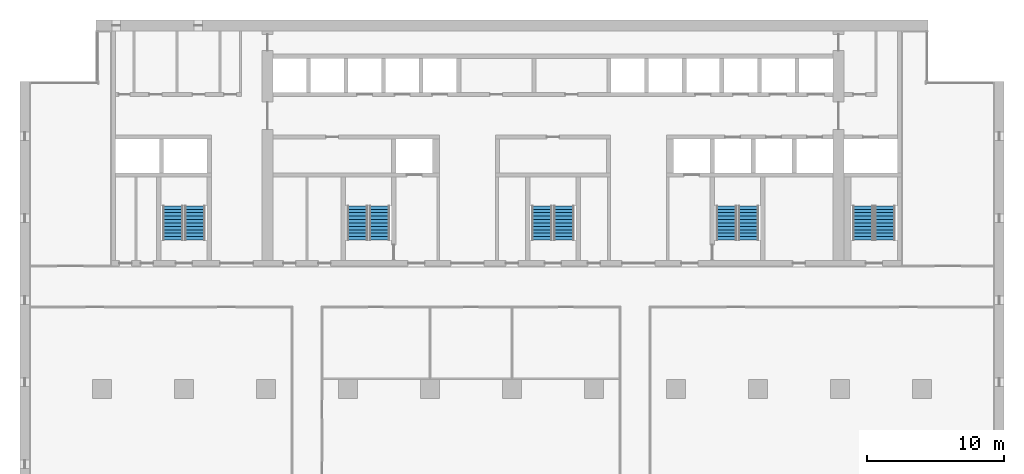
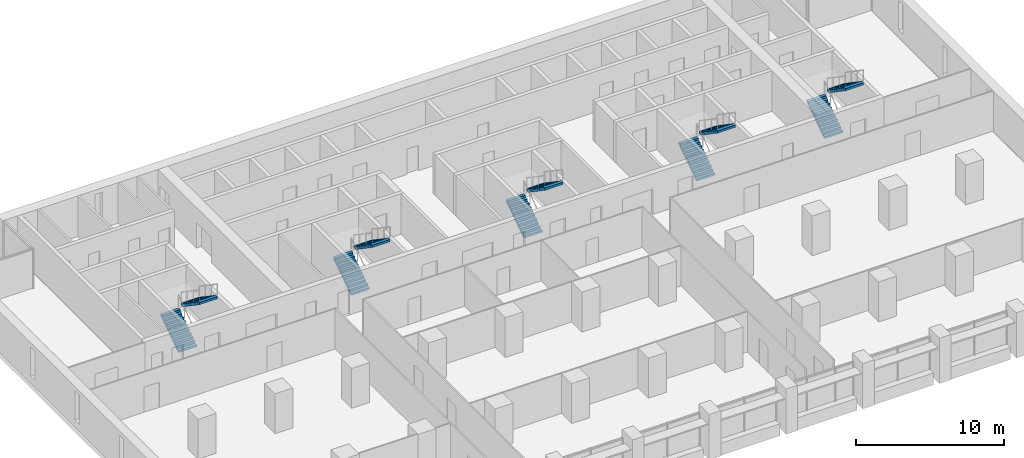
# One storey, part 12 of 15: 10 stair flights, 5 elements without a shape of their own.
"""IFC4 building model written with IfcOpenShell, lengths in metres."""

from ifc_helpers import new_model, si_unit, direction, frame, origin, place, context, subcontext, project, spatial, polyline, outline, extrude, material, type_object, element, aggregate, save


model = new_model("IFC4")

# Units and contexts
model_context = context("Model", 3, precision=1e-05, world=origin(), true_north=direction((0.0, 1.0)))
body_context = subcontext(model_context, "Body", "Model", "MODEL_VIEW")
ifc_project = project(units=[si_unit("LENGTHUNIT", "METRE"), si_unit("AREAUNIT", "SQUARE_METRE"), si_unit("VOLUMEUNIT", "CUBIC_METRE"), si_unit("PLANEANGLEUNIT", "RADIAN"), si_unit("MASSUNIT", "GRAM", prefix="KILO")], contexts=[model_context])

# Site, building, storey
site_placement = place(None, origin())
site = spatial("IfcSite", under=ifc_project, at=site_placement, CompositionType="ELEMENT")
building_placement = place(site_placement, origin())
building = spatial("IfcBuilding", under=site, at=building_placement, Name="Calvaro Tower", CompositionType="ELEMENT")
storey_placement = place(building_placement, frame((0.0, 0.0, 110.0)))
storey = spatial("IfcBuildingStorey", under=building, at=storey_placement, Name="L27", CompositionType="ELEMENT", Elevation=110.0)

# Stair, stair flights
ifc_material_1 = material(Name="Concrete C40/50", Category="concrete")
stair_type = type_object("IfcStairType", Name="Exit stair 1400 2 flights", PredefinedType="HALF_TURN_STAIR", material=ifc_material_1)
stair_1_placement = place(storey_placement, origin())
stair_1 = element("IfcStair", 1, at=stair_1_placement, inside=storey, type_object=stair_type, Name="Exit stair S1", PredefinedType="HALF_TURN_STAIR")
ifc_material_2 = material(Name="Concrete C40/50", Category="concrete")
stair_flight_type = type_object("IfcStairFlightType", Name="Stair flight", PredefinedType="STRAIGHT", material=ifc_material_2)
stair_flight_1_placement = place(storey_placement, frame((11.199951171875, 29.89990234375, 0.0), z_axis=(0.0, 0.0, 1.0), x_axis=(0.0, 1.0, 0.0)))
stair_flight_1 = element("IfcStairFlight", 2, at=stair_flight_1_placement, type_object=stair_flight_type, Name="Exit stair 1, flight 1", NumberOfRisers=11, NumberOfTreads=10, PredefinedType="STRAIGHT", RiserHeight=0.170454545, TreadLength=0.25, context=body_context, shape_type="SweptSolid", body=[
    extrude(outline(polyline([(0.0, 0.0), (0.0, 0.17041015625), (0.25, 0.17041015625), (0.25, 0.3408203125), (0.5, 0.3408203125), (0.5, 0.511474609375), (0.75, 0.511474609375), (0.75, 0.681884765625), (1.0, 0.681884765625), (1.0, 0.852294921875), (1.25, 0.852294921875), (1.25, 1.022705078125), (1.5, 1.022705078125), (1.5, 1.193115234375), (1.75, 1.193115234375), (1.75, 1.363525390625), (2.0, 1.363525390625), (2.0, 1.5341796875), (2.25, 1.5341796875), (2.25, 1.70458984375), (2.5, 1.70458984375), (2.5, 1.875), (2.5, 1.523193359375), (0.26611328125, 0.0), (0.0, 0.0)])), frame((0.0, 0.699951171875, 0.0), z_axis=(0.0, -1.0, 0.0), x_axis=(1.0, 0.0, 0.0)), (0.0, 0.0, 1.0), 1.39990234375),
])
stair_flight_2_placement = place(storey_placement, frame((12.800048828125, 32.39990234375, 1.875), z_axis=(0.0, 0.0, 1.0), x_axis=(0.0, -1.0, 0.0)))
stair_flight_2 = element("IfcStairFlight", 3, at=stair_flight_2_placement, type_object=stair_flight_type, Name="Exit stair 1, flight 2", NumberOfRisers=11, NumberOfTreads=10, PredefinedType="STRAIGHT", RiserHeight=0.170454545, TreadLength=0.25, context=body_context, shape_type="SweptSolid", body=[
    extrude(outline(polyline([(0.0, 0.0), (0.0, 0.17041015625), (0.25, 0.17041015625), (0.25, 0.3408203125), (0.5, 0.3408203125), (0.5, 0.511474609375), (0.75, 0.511474609375), (0.75, 0.681884765625), (1.0, 0.681884765625), (1.0, 0.852294921875), (1.25, 0.852294921875), (1.25, 1.022705078125), (1.5, 1.022705078125), (1.5, 1.193115234375), (1.75, 1.193115234375), (1.75, 1.363525390625), (2.0, 1.363525390625), (2.0, 1.5341796875), (2.25, 1.5341796875), (2.25, 1.70458984375), (2.5, 1.70458984375), (2.5, 1.875), (2.5, 1.523193359375), (0.26611328125, 0.0), (0.0, 0.0)])), frame((0.0, 0.699951171875, 0.0), z_axis=(0.0, -1.0, 0.0), x_axis=(1.0, 0.0, 0.0)), (0.0, 0.0, 1.0), 1.39990234375),
])
aggregate(stair_1, [stair_flight_1, stair_flight_2])

stair_2_placement = place(storey_placement, origin())
stair_2 = element("IfcStair", 4, at=stair_2_placement, inside=storey, type_object=stair_type, Name="Exit stair S2", PredefinedType="HALF_TURN_STAIR")
stair_flight_3_placement = place(storey_placement, frame((24.699951171875, 29.89990234375, 0.0), z_axis=(0.0, 0.0, 1.0), x_axis=(0.0, 1.0, 0.0)))
stair_flight_3 = element("IfcStairFlight", 5, at=stair_flight_3_placement, type_object=stair_flight_type, Name="Exit stair 2, flight 1", NumberOfRisers=11, NumberOfTreads=10, PredefinedType="STRAIGHT", RiserHeight=0.170454545, TreadLength=0.25, context=body_context, shape_type="SweptSolid", body=[
    extrude(outline(polyline([(0.0, 0.0), (0.0, 0.17041015625), (0.25, 0.17041015625), (0.25, 0.3408203125), (0.5, 0.3408203125), (0.5, 0.511474609375), (0.75, 0.511474609375), (0.75, 0.681884765625), (1.0, 0.681884765625), (1.0, 0.852294921875), (1.25, 0.852294921875), (1.25, 1.022705078125), (1.5, 1.022705078125), (1.5, 1.193115234375), (1.75, 1.193115234375), (1.75, 1.363525390625), (2.0, 1.363525390625), (2.0, 1.5341796875), (2.25, 1.5341796875), (2.25, 1.70458984375), (2.5, 1.70458984375), (2.5, 1.875), (2.5, 1.523193359375), (0.26611328125, 0.0), (0.0, 0.0)])), frame((0.0, 0.699951171875, 0.0), z_axis=(0.0, -1.0, 0.0), x_axis=(1.0, 0.0, 0.0)), (0.0, 0.0, 1.0), 1.39990234375),
])
stair_flight_4_placement = place(storey_placement, frame((26.300048828125, 32.39990234375, 1.875), z_axis=(0.0, 0.0, 1.0), x_axis=(0.0, -1.0, 0.0)))
stair_flight_4 = element("IfcStairFlight", 6, at=stair_flight_4_placement, type_object=stair_flight_type, Name="Exit stair 2, flight 2", NumberOfRisers=11, NumberOfTreads=10, PredefinedType="STRAIGHT", RiserHeight=0.170454545, TreadLength=0.25, context=body_context, shape_type="SweptSolid", body=[
    extrude(outline(polyline([(0.0, 0.0), (0.0, 0.17041015625), (0.25, 0.17041015625), (0.25, 0.3408203125), (0.5, 0.3408203125), (0.5, 0.511474609375), (0.75, 0.511474609375), (0.75, 0.681884765625), (1.0, 0.681884765625), (1.0, 0.852294921875), (1.25, 0.852294921875), (1.25, 1.022705078125), (1.5, 1.022705078125), (1.5, 1.193115234375), (1.75, 1.193115234375), (1.75, 1.363525390625), (2.0, 1.363525390625), (2.0, 1.5341796875), (2.25, 1.5341796875), (2.25, 1.70458984375), (2.5, 1.70458984375), (2.5, 1.875), (2.5, 1.523193359375), (0.26611328125, 0.0), (0.0, 0.0)])), frame((0.0, 0.699951171875, 0.0), z_axis=(0.0, -1.0, 0.0), x_axis=(1.0, 0.0, 0.0)), (0.0, 0.0, 1.0), 1.39990234375),
])
aggregate(stair_2, [stair_flight_3, stair_flight_4])

stair_3_placement = place(storey_placement, origin())
stair_3 = element("IfcStair", 7, at=stair_3_placement, inside=storey, type_object=stair_type, Name="Exit stair S3", PredefinedType="HALF_TURN_STAIR")
stair_flight_5_placement = place(storey_placement, frame((38.199951171875, 29.89990234375, 0.0), z_axis=(0.0, 0.0, 1.0), x_axis=(0.0, 1.0, 0.0)))
stair_flight_5 = element("IfcStairFlight", 8, at=stair_flight_5_placement, type_object=stair_flight_type, Name="Exit stair 3, flight 1", NumberOfRisers=11, NumberOfTreads=10, PredefinedType="STRAIGHT", RiserHeight=0.170454545, TreadLength=0.25, context=body_context, shape_type="SweptSolid", body=[
    extrude(outline(polyline([(0.0, 0.0), (0.0, 0.17041015625), (0.25, 0.17041015625), (0.25, 0.3408203125), (0.5, 0.3408203125), (0.5, 0.511474609375), (0.75, 0.511474609375), (0.75, 0.681884765625), (1.0, 0.681884765625), (1.0, 0.852294921875), (1.25, 0.852294921875), (1.25, 1.022705078125), (1.5, 1.022705078125), (1.5, 1.193115234375), (1.75, 1.193115234375), (1.75, 1.363525390625), (2.0, 1.363525390625), (2.0, 1.5341796875), (2.25, 1.5341796875), (2.25, 1.70458984375), (2.5, 1.70458984375), (2.5, 1.875), (2.5, 1.523193359375), (0.26611328125, 0.0), (0.0, 0.0)])), frame((0.0, 0.699951171875, 0.0), z_axis=(0.0, -1.0, 0.0), x_axis=(1.0, 0.0, 0.0)), (0.0, 0.0, 1.0), 1.39990234375),
])
stair_flight_6_placement = place(storey_placement, frame((39.800048828125, 32.39990234375, 1.875), z_axis=(0.0, 0.0, 1.0), x_axis=(0.0, -1.0, 0.0)))
stair_flight_6 = element("IfcStairFlight", 9, at=stair_flight_6_placement, type_object=stair_flight_type, Name="Exit stair 3, flight 2", NumberOfRisers=11, NumberOfTreads=10, PredefinedType="STRAIGHT", RiserHeight=0.170454545, TreadLength=0.25, context=body_context, shape_type="SweptSolid", body=[
    extrude(outline(polyline([(0.0, 0.0), (0.0, 0.17041015625), (0.25, 0.17041015625), (0.25, 0.3408203125), (0.5, 0.3408203125), (0.5, 0.511474609375), (0.75, 0.511474609375), (0.75, 0.681884765625), (1.0, 0.681884765625), (1.0, 0.852294921875), (1.25, 0.852294921875), (1.25, 1.022705078125), (1.5, 1.022705078125), (1.5, 1.193115234375), (1.75, 1.193115234375), (1.75, 1.363525390625), (2.0, 1.363525390625), (2.0, 1.5341796875), (2.25, 1.5341796875), (2.25, 1.70458984375), (2.5, 1.70458984375), (2.5, 1.875), (2.5, 1.523193359375), (0.26611328125, 0.0), (0.0, 0.0)])), frame((0.0, 0.699951171875, 0.0), z_axis=(0.0, -1.0, 0.0), x_axis=(1.0, 0.0, 0.0)), (0.0, 0.0, 1.0), 1.39990234375),
])
aggregate(stair_3, [stair_flight_5, stair_flight_6])

stair_4_placement = place(storey_placement, origin())
stair_4 = element("IfcStair", 10, at=stair_4_placement, inside=storey, type_object=stair_type, Name="Exit stair S4", PredefinedType="HALF_TURN_STAIR")
stair_flight_7_placement = place(storey_placement, frame((51.699951171875, 29.89990234375, 0.0), z_axis=(0.0, 0.0, 1.0), x_axis=(0.0, 1.0, 0.0)))
stair_flight_7 = element("IfcStairFlight", 11, at=stair_flight_7_placement, type_object=stair_flight_type, Name="Exit stair 4, flight 1", NumberOfRisers=11, NumberOfTreads=10, PredefinedType="STRAIGHT", RiserHeight=0.170454545, TreadLength=0.25, context=body_context, shape_type="SweptSolid", body=[
    extrude(outline(polyline([(0.0, 0.0), (0.0, 0.17041015625), (0.25, 0.17041015625), (0.25, 0.3408203125), (0.5, 0.3408203125), (0.5, 0.511474609375), (0.75, 0.511474609375), (0.75, 0.681884765625), (1.0, 0.681884765625), (1.0, 0.852294921875), (1.25, 0.852294921875), (1.25, 1.022705078125), (1.5, 1.022705078125), (1.5, 1.193115234375), (1.75, 1.193115234375), (1.75, 1.363525390625), (2.0, 1.363525390625), (2.0, 1.5341796875), (2.25, 1.5341796875), (2.25, 1.70458984375), (2.5, 1.70458984375), (2.5, 1.875), (2.5, 1.523193359375), (0.26611328125, 0.0), (0.0, 0.0)])), frame((0.0, 0.699951171875, 0.0), z_axis=(0.0, -1.0, 0.0), x_axis=(1.0, 0.0, 0.0)), (0.0, 0.0, 1.0), 1.39990234375),
])
stair_flight_8_placement = place(storey_placement, frame((53.300048828125, 32.39990234375, 1.875), z_axis=(0.0, 0.0, 1.0), x_axis=(0.0, -1.0, 0.0)))
stair_flight_8 = element("IfcStairFlight", 12, at=stair_flight_8_placement, type_object=stair_flight_type, Name="Exit stair 4, flight 2", NumberOfRisers=11, NumberOfTreads=10, PredefinedType="STRAIGHT", RiserHeight=0.170454545, TreadLength=0.25, context=body_context, shape_type="SweptSolid", body=[
    extrude(outline(polyline([(0.0, 0.0), (0.0, 0.17041015625), (0.25, 0.17041015625), (0.25, 0.3408203125), (0.5, 0.3408203125), (0.5, 0.511474609375), (0.75, 0.511474609375), (0.75, 0.681884765625), (1.0, 0.681884765625), (1.0, 0.852294921875), (1.25, 0.852294921875), (1.25, 1.022705078125), (1.5, 1.022705078125), (1.5, 1.193115234375), (1.75, 1.193115234375), (1.75, 1.363525390625), (2.0, 1.363525390625), (2.0, 1.5341796875), (2.25, 1.5341796875), (2.25, 1.70458984375), (2.5, 1.70458984375), (2.5, 1.875), (2.5, 1.523193359375), (0.26611328125, 0.0), (0.0, 0.0)])), frame((0.0, 0.699951171875, 0.0), z_axis=(0.0, -1.0, 0.0), x_axis=(1.0, 0.0, 0.0)), (0.0, 0.0, 1.0), 1.39990234375),
])
aggregate(stair_4, [stair_flight_7, stair_flight_8])

stair_5_placement = place(storey_placement, origin())
stair_5 = element("IfcStair", 13, at=stair_5_placement, inside=storey, type_object=stair_type, Name="Exit stair S5", PredefinedType="HALF_TURN_STAIR")
stair_flight_9_placement = place(storey_placement, frame((61.699951171875, 29.89990234375, 0.0), z_axis=(0.0, 0.0, 1.0), x_axis=(0.0, 1.0, 0.0)))
stair_flight_9 = element("IfcStairFlight", 14, at=stair_flight_9_placement, type_object=stair_flight_type, Name="Exit stair 5, flight 1", NumberOfRisers=11, NumberOfTreads=10, PredefinedType="STRAIGHT", RiserHeight=0.170454545, TreadLength=0.25, context=body_context, shape_type="SweptSolid", body=[
    extrude(outline(polyline([(0.0, 0.0), (0.0, 0.17041015625), (0.25, 0.17041015625), (0.25, 0.3408203125), (0.5, 0.3408203125), (0.5, 0.511474609375), (0.75, 0.511474609375), (0.75, 0.681884765625), (1.0, 0.681884765625), (1.0, 0.852294921875), (1.25, 0.852294921875), (1.25, 1.022705078125), (1.5, 1.022705078125), (1.5, 1.193115234375), (1.75, 1.193115234375), (1.75, 1.363525390625), (2.0, 1.363525390625), (2.0, 1.5341796875), (2.25, 1.5341796875), (2.25, 1.70458984375), (2.5, 1.70458984375), (2.5, 1.875), (2.5, 1.523193359375), (0.26611328125, 0.0), (0.0, 0.0)])), frame((0.0, 0.699951171875, 0.0), z_axis=(0.0, -1.0, 0.0), x_axis=(1.0, 0.0, 0.0)), (0.0, 0.0, 1.0), 1.39990234375),
])
stair_flight_10_placement = place(storey_placement, frame((63.300048828125, 32.39990234375, 1.875), z_axis=(0.0, 0.0, 1.0), x_axis=(0.0, -1.0, 0.0)))
stair_flight_10 = element("IfcStairFlight", 15, at=stair_flight_10_placement, type_object=stair_flight_type, Name="Exit stair 5, flight 2", NumberOfRisers=11, NumberOfTreads=10, PredefinedType="STRAIGHT", RiserHeight=0.170454545, TreadLength=0.25, context=body_context, shape_type="SweptSolid", body=[
    extrude(outline(polyline([(0.0, 0.0), (0.0, 0.17041015625), (0.25, 0.17041015625), (0.25, 0.3408203125), (0.5, 0.3408203125), (0.5, 0.511474609375), (0.75, 0.511474609375), (0.75, 0.681884765625), (1.0, 0.681884765625), (1.0, 0.852294921875), (1.25, 0.852294921875), (1.25, 1.022705078125), (1.5, 1.022705078125), (1.5, 1.193115234375), (1.75, 1.193115234375), (1.75, 1.363525390625), (2.0, 1.363525390625), (2.0, 1.5341796875), (2.25, 1.5341796875), (2.25, 1.70458984375), (2.5, 1.70458984375), (2.5, 1.875), (2.5, 1.523193359375), (0.26611328125, 0.0), (0.0, 0.0)])), frame((0.0, 0.699951171875, 0.0), z_axis=(0.0, -1.0, 0.0), x_axis=(1.0, 0.0, 0.0)), (0.0, 0.0, 1.0), 1.39990234375),
])
aggregate(stair_5, [stair_flight_9, stair_flight_10])

save(model, "model.ifc")
